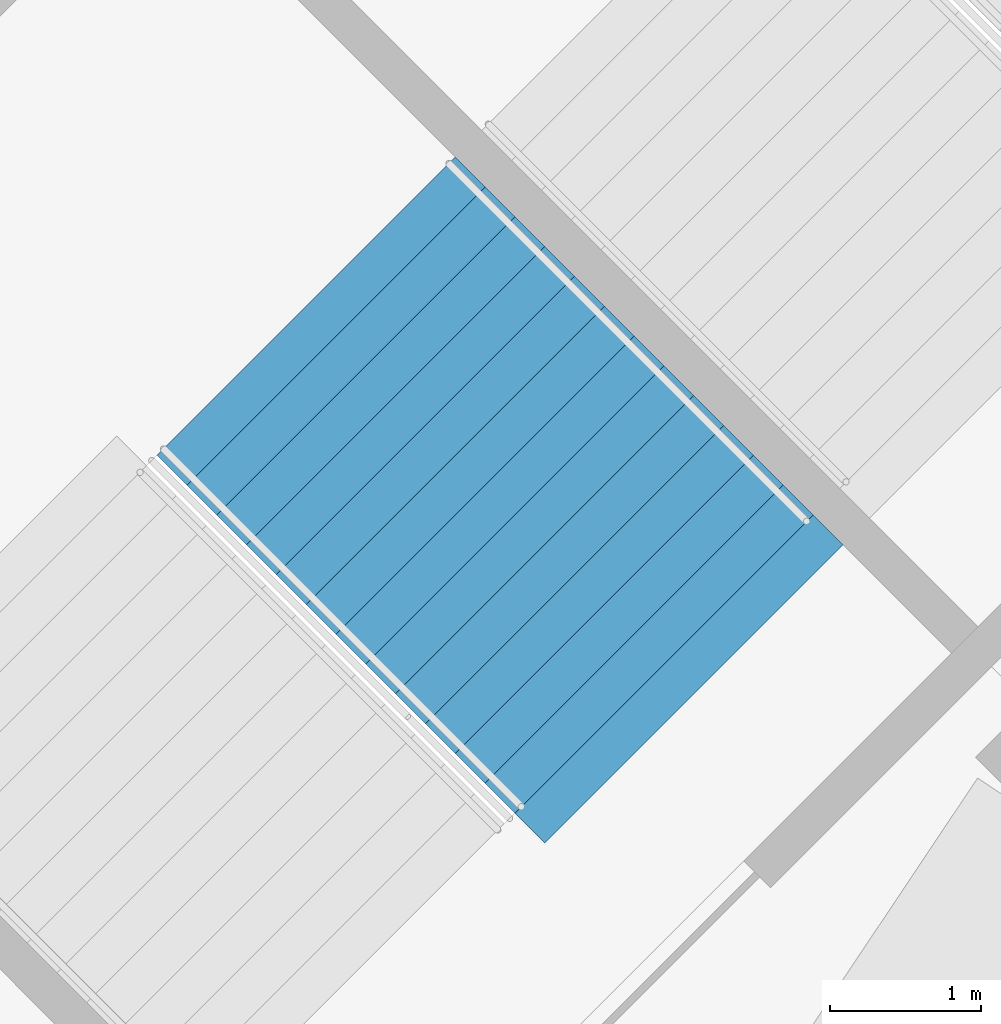
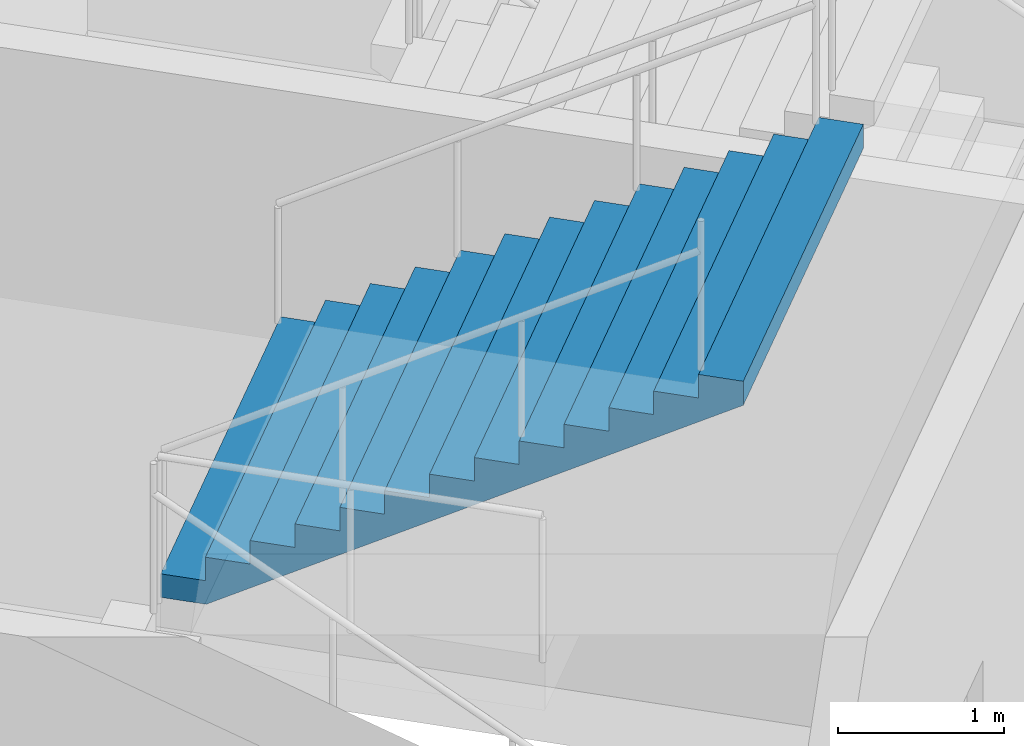
# One storey, part 198 of 249: 1 stair flight, 1 element without a shape of its own.
"""IFC4 building model written with IfcOpenShell, lengths in metres."""

import ifcopenshell
import ifcopenshell.guid

model = None  # the IFC model being written
_history = None  # IfcOwnerHistory: only IFC2X3 demands one
_inside = {}  # id of a spatial element -> (the spatial element, [elements in it])
_under = {}  # id of a project, library or spatial element -> (it, [spatial elements below it])
_declared = {}  # id of a project -> (the project, [libraries it declares])
_typed = {}  # id of a type object -> (the type object, [elements of that type])
_made_of = {}  # id of a material, layer set ... -> (it, [elements and type objects made of it])


def new_model(schema):
    """Start an empty IFC model of exactly this schema.

    Asked for "IFC4X3", IfcOpenShell would pick the latest addendum, in which some entities
    have other attributes; the version numbers below select the first issue.
    IFC2X3 requires an IfcOwnerHistory on every rooted entity: one is made here for all.
    """
    global model, _history
    if schema == "IFC4X3":
        model = ifcopenshell.file(schema_version=(4, 3, 0, 0))
    else:
        model = ifcopenshell.file(schema=schema)
    _inside.clear()
    _under.clear()
    _declared.clear()
    _typed.clear()
    _made_of.clear()
    _history = None
    if model.schema == "IFC2X3":
        org = make("IfcOrganization", Name="unknown")
        user = make(
            "IfcPersonAndOrganization",
            ThePerson=make("IfcPerson", FamilyName="unknown"),
            TheOrganization=org,
        )
        app = make(
            "IfcApplication",
            ApplicationDeveloper=org,
            Version="unknown",
            ApplicationFullName="unknown",
            ApplicationIdentifier="unknown",
        )
        _history = make(
            "IfcOwnerHistory",
            OwningUser=user,
            OwningApplication=app,
            ChangeAction="ADDED",
            CreationDate=0,
        )
    return model


def make(cls, **values):
    """One entity of the class cls with the attributes given. An attribute that is None is left unset."""
    return model.create_entity(
        cls, **{name: value for name, value in values.items() if value is not None}
    )


def rooted(cls, **values):
    """An entity with a GlobalId (a new one), such as an element, a storey or a relation."""
    return make(cls, GlobalId=ifcopenshell.guid.new(), OwnerHistory=_history, **values)


def si_unit(unit_type, name, prefix=None):
    """IfcSIUnit, for example si_unit("LENGTHUNIT", "METRE", prefix="MILLI")."""
    return make("IfcSIUnit", UnitType=unit_type, Prefix=prefix, Name=name)


def assignment(units):
    """IfcUnitAssignment: the units of a project."""
    return None if units is None else make("IfcUnitAssignment", Units=units)


def point(xyz):
    """IfcCartesianPoint."""
    return None if xyz is None else make("IfcCartesianPoint", Coordinates=xyz)


def direction(xyz):
    """IfcDirection."""
    return None if xyz is None else make("IfcDirection", DirectionRatios=xyz)


def frame(location, z_axis=None, x_axis=None):
    """IfcAxis2Placement3D, a coordinate frame: its origin and axes. An axis left out is left unset."""
    return make(
        "IfcAxis2Placement3D",
        Location=point(location),
        Axis=direction(z_axis),
        RefDirection=direction(x_axis),
    )


def origin():
    """The frame at (0, 0, 0) with its axes left unset."""
    return frame((0.0, 0.0, 0.0))


def place(relative_to, where):
    """IfcLocalPlacement: puts the frame where relative to a parent placement (None: the world)."""
    return make(
        "IfcLocalPlacement", PlacementRelTo=relative_to, RelativePlacement=where
    )


def context(
    kind, dimensions, precision=None, world=None, true_north=None, identifier=None
):
    """IfcGeometricRepresentationContext, for example the 3D "Model" context."""
    return make(
        "IfcGeometricRepresentationContext",
        ContextIdentifier=identifier,
        ContextType=kind,
        CoordinateSpaceDimension=dimensions,
        Precision=precision,
        WorldCoordinateSystem=world,
        TrueNorth=true_north,
    )


def subcontext(parent, identifier, kind, view, scale=None):
    """IfcGeometricRepresentationSubContext, for example "Body" below "Model"."""
    return make(
        "IfcGeometricRepresentationSubContext",
        ContextIdentifier=identifier,
        ContextType=kind,
        ParentContext=parent,
        TargetScale=scale,
        TargetView=view,
    )


def project(units=None, contexts=None):
    """IfcProject with its units and contexts."""
    return rooted(
        "IfcProject",
        Name="project",
        RepresentationContexts=contexts,
        UnitsInContext=assignment(units),
    )


def spatial(cls, under=None, at=None, **own):
    """A site, building, storey or space (cls), placed at a placement, below another one or the project."""
    s = rooted(cls, ObjectPlacement=at, **own)
    if under is not None:
        _under.setdefault(under.id(), (under, []))[1].append(s)
    return s


def faces_of(points, faces, orient=None, outer=None):
    """IfcFace entities. A face is a list of loops; a loop is a list of indices into points, from 0.

    orient and outer hold one flag for each loop. By default every Orientation is true, the
    first loop of a face is its IfcFaceOuterBound and the others are IfcFaceBound.
    """
    made = []
    for i, loops in enumerate(faces):
        bounds = []
        for j, loop in enumerate(loops):
            is_outer = j == 0 if outer is None else outer[i][j]
            bounds.append(
                make(
                    "IfcFaceOuterBound" if is_outer else "IfcFaceBound",
                    Bound=make("IfcPolyLoop", Polygon=[points[k] for k in loop]),
                    Orientation=True if orient is None else orient[i][j],
                )
            )
        made.append(make("IfcFace", Bounds=bounds))
    return made


def faceted_brep(points, faces, orient=None, outer=None, voids=None):
    """IfcFacetedBrep: a solid bounded by flat faces; with voids (closed shells), ...WithVoids."""
    shared = [point(p) for p in points]
    hull = make("IfcClosedShell", CfsFaces=faces_of(shared, faces, orient, outer))
    if voids is None:
        return make("IfcFacetedBrep", Outer=hull)
    return make(
        "IfcFacetedBrepWithVoids",
        Outer=hull,
        Voids=[
            make(cls, CfsFaces=faces_of(shared, fs, o, b)) for cls, fs, o, b in voids
        ],
    )


def shape(context_of_items, identifier, shape_type, items):
    """IfcShapeRepresentation: the items that make up one representation, for example the "Body"."""
    return make(
        "IfcShapeRepresentation",
        ContextOfItems=context_of_items,
        RepresentationIdentifier=identifier,
        RepresentationType=shape_type,
        Items=items,
    )


def material(Name=None, Category=None):
    """IfcMaterial."""
    return make("IfcMaterial", Name=Name, Category=Category)


def made_of(thing, what):
    """Note that an element or type object is made of a material, layer set ...; save() writes the relation."""
    if what is not None:
        _made_of.setdefault(what.id(), (what, []))[1].append(thing)
    return thing


def type_object(cls, material=None, **own):
    """A type object (cls), such as IfcWallType, which elements share."""
    return made_of(rooted(cls, **own), material)


def element(
    cls,
    number,
    at=None,
    inside=None,
    cuts=None,
    type_object=None,
    material=None,
    context=None,
    identifier="Body",
    shape_type=None,
    held_by="IfcProductDefinitionShape",
    body=None,
    shapes=None,
    **own,
):
    """One element of the class cls, such as IfcWall. Its Tag is "e" and its number.

    at: its placement. inside: the storey or other place that contains it. cuts: it is an
    opening in that element (IfcRelVoidsElement). A single representation is given by context,
    identifier, shape_type and body (its items); several are given by shapes. held_by: the class
    of the entity that holds the representations. save() writes the other relations.
    """
    e = rooted(cls, Tag="e%d" % number, ObjectPlacement=at, **own)
    if body is not None:
        shapes = [shape(context, identifier, shape_type, body)]
    if shapes is not None:
        e.Representation = make(held_by, Representations=shapes)
    if inside is not None:
        _inside.setdefault(inside.id(), (inside, []))[1].append(e)
    if cuts is not None:
        rooted(
            "IfcRelVoidsElement", RelatingBuildingElement=cuts, RelatedOpeningElement=e
        )
    if type_object is not None:
        _typed.setdefault(type_object.id(), (type_object, []))[1].append(e)
    return made_of(e, material)


def aggregate(whole, parts):
    """IfcRelAggregates: a whole, such as a stair, and the parts it consists of."""
    return rooted("IfcRelAggregates", RelatingObject=whole, RelatedObjects=parts)


def save(model, path):
    """Write the relations noted so far, then the file.

    IfcRelAggregates (storeys below a building ...), IfcRelContainedInSpatialStructure (elements
    in a storey), IfcRelDefinesByType, IfcRelAssociatesMaterial and IfcRelDeclares: one each for
    every whole, place, type object, material and project.
    """
    for whole, parts in _under.values():
        aggregate(whole, parts)
    for where, things in _inside.values():
        rooted(
            "IfcRelContainedInSpatialStructure",
            RelatedElements=things,
            RelatingStructure=where,
        )
    for kind, things in _typed.values():
        rooted("IfcRelDefinesByType", RelatedObjects=things, RelatingType=kind)
    for what, things in _made_of.values():
        rooted("IfcRelAssociatesMaterial", RelatedObjects=things, RelatingMaterial=what)
    for by, libraries in _declared.values():
        rooted("IfcRelDeclares", RelatingContext=by, RelatedDefinitions=libraries)
    model.write(path)


model = new_model("IFC4")

# Units and contexts
model_context = context("Model", 3, precision=1e-05, world=origin(), true_north=direction((0.0, 1.0)))
body_context = subcontext(model_context, "Body", "Model", "MODEL_VIEW")
ifc_project = project(units=[si_unit("LENGTHUNIT", "METRE"), si_unit("AREAUNIT", "SQUARE_METRE"), si_unit("VOLUMEUNIT", "CUBIC_METRE"), si_unit("PLANEANGLEUNIT", "RADIAN"), si_unit("MASSUNIT", "GRAM", prefix="KILO")], contexts=[model_context])

# Site, building, storey
site_placement = place(None, origin())
site = spatial("IfcSite", under=ifc_project, at=site_placement, CompositionType="ELEMENT")
building_placement = place(site_placement, origin())
building = spatial("IfcBuilding", under=site, at=building_placement, Name="Ogive Plaza Stadium", CompositionType="ELEMENT")
storey_placement = place(building_placement, frame((0.0, 0.0, 13.5)))
storey = spatial("IfcBuildingStorey", under=building, at=storey_placement, Name="L03", CompositionType="ELEMENT", Elevation=13.5)

# Stair, stair flight
ifc_material_1 = material(Name="Concrete C40/50", Category="concrete")
stair_type = type_object("IfcStairType", Name="Exit stair", PredefinedType="STRAIGHT_RUN_STAIR", material=ifc_material_1)
stair_placement = place(storey_placement, origin())
stair = element("IfcStair", 1, at=stair_placement, inside=storey, type_object=stair_type, Name="Exit stair ST30B L03 to L04", PredefinedType="STRAIGHT_RUN_STAIR")
ifc_material_2 = material(Name="Concrete C40/50", Category="concrete")
stair_flight_type = type_object("IfcStairFlightType", Name="Exit stair flight", PredefinedType="STRAIGHT", material=ifc_material_2)
stair_flight_placement = place(storey_placement, frame((-67.400146484375, 83.743408203125, 2.25), z_axis=(0.0, 0.0, 1.0), x_axis=(0.707106781187, -0.707106781187, 0.0)))
stair_flight = element("IfcStairFlight", 2, at=stair_flight_placement, type_object=stair_flight_type, Name="ST30B flight 2", NumberOfRisers=13, NumberOfTreads=12, PredefinedType="STRAIGHT", RiserHeight=0.173076923, TreadLength=0.28, context=body_context, shape_type="Brep", body=[
    faceted_brep([(0.28515625, -1.39990234375, 0.0), (3.639892578125, -1.39990234375, 2.07373046875), (3.639892578125, -1.39990234375, 2.25), (3.360107421875, -1.39990234375, 2.25), (3.360107421875, -1.39990234375, 2.076904296875), (3.080078125, -1.39990234375, 2.076904296875), (3.080078125, -1.39990234375, 1.90380859375), (2.800048828125, -1.39990234375, 1.90380859375), (2.800048828125, -1.39990234375, 1.730712890625), (2.52001953125, -1.39990234375, 1.730712890625), (2.52001953125, -1.39990234375, 1.5576171875), (2.239990234375, -1.39990234375, 1.5576171875), (2.239990234375, -1.39990234375, 1.384521484375), (1.9599609375, -1.39990234375, 1.384521484375), (1.9599609375, -1.39990234375, 1.21142578125), (1.679931640625, -1.39990234375, 1.21142578125), (1.679931640625, -1.39990234375, 1.03857421875), (1.39990234375, -1.39990234375, 1.03857421875), (1.39990234375, -1.39990234375, 0.865478515625), (1.1201171875, -1.39990234375, 0.865478515625), (1.1201171875, -1.39990234375, 0.6923828125), (0.840087890625, -1.39990234375, 0.6923828125), (0.840087890625, -1.39990234375, 0.519287109375), (0.56005859375, -1.39990234375, 0.519287109375), (0.56005859375, -1.39990234375, 0.34619140625), (0.280029296875, -1.39990234375, 0.34619140625), (0.280029296875, -1.39990234375, 0.173095703125), (0.0, -1.39990234375, 0.173095703125), (0.0, -1.39990234375, 0.0), (0.0, 1.39990234375, 0.0), (0.0, 1.39990234375, 0.173095703125), (0.280029296875, 1.39990234375, 0.173095703125), (0.280029296875, 1.39990234375, 0.34619140625), (0.56005859375, 1.39990234375, 0.34619140625), (0.56005859375, 1.39990234375, 0.519287109375), (0.840087890625, 1.39990234375, 0.519287109375), (0.840087890625, 1.39990234375, 0.6923828125), (1.1201171875, 1.39990234375, 0.6923828125), (1.1201171875, 1.39990234375, 0.865478515625), (1.39990234375, 1.39990234375, 0.865478515625), (1.39990234375, 1.39990234375, 1.03857421875), (1.679931640625, 1.39990234375, 1.03857421875), (1.679931640625, 1.39990234375, 1.21142578125), (1.9599609375, 1.39990234375, 1.21142578125), (1.9599609375, 1.39990234375, 1.384521484375), (2.239990234375, 1.39990234375, 1.384521484375), (2.239990234375, 1.39990234375, 1.5576171875), (2.52001953125, 1.39990234375, 1.5576171875), (2.52001953125, 1.39990234375, 1.730712890625), (2.800048828125, 1.39990234375, 1.730712890625), (2.800048828125, 1.39990234375, 1.90380859375), (3.080078125, 1.39990234375, 1.90380859375), (3.080078125, 1.39990234375, 2.076904296875), (3.360107421875, 1.39990234375, 2.076904296875), (3.360107421875, 1.39990234375, 2.25), (3.639892578125, 1.39990234375, 2.25), (3.639892578125, 1.39990234375, 2.07373046875), (0.28515625, 1.39990234375, 0.0), (0.28515625, -1.0888671875, 0.0), (3.639892578125, -1.0888671875, 2.07373046875), (0.28515625, -0.77783203125, 0.0), (3.639892578125, -0.77783203125, 2.07373046875), (0.28515625, -0.466796875, 0.0), (3.639892578125, -0.466796875, 2.07373046875), (0.28515625, -0.155517578125, 0.0), (3.639892578125, -0.155517578125, 2.07373046875), (0.28515625, 0.155517578125, 0.0), (3.639892578125, 0.155517578125, 2.07373046875), (0.28515625, 0.466796875, 0.0), (3.639892578125, 0.466796875, 2.07373046875), (0.28515625, 0.77783203125, 0.0), (3.639892578125, 0.77783203125, 2.07373046875), (0.28515625, 1.0888671875, 0.0), (3.639892578125, 1.0888671875, 2.07373046875), (3.639892578125, -1.0888671875, 2.25), (3.639892578125, -0.77783203125, 2.25), (3.639892578125, -0.466796875, 2.25), (3.639892578125, -0.155517578125, 2.25), (3.639892578125, 0.155517578125, 2.25), (3.639892578125, 0.466796875, 2.25), (3.639892578125, 0.77783203125, 2.25), (3.639892578125, 1.0888671875, 2.25), (3.360107421875, -1.0888671875, 2.25), (3.360107421875, -0.77783203125, 2.25), (3.360107421875, -0.466796875, 2.25), (3.360107421875, -0.155517578125, 2.25), (3.360107421875, 0.155517578125, 2.25), (3.360107421875, 0.466796875, 2.25), (3.360107421875, 0.77783203125, 2.25), (3.360107421875, 1.0888671875, 2.25), (3.360107421875, -1.0888671875, 2.076904296875), (3.360107421875, -0.77783203125, 2.076904296875), (3.360107421875, -0.466796875, 2.076904296875), (3.360107421875, -0.155517578125, 2.076904296875), (3.360107421875, 0.155517578125, 2.076904296875), (3.360107421875, 0.466796875, 2.076904296875), (3.360107421875, 0.77783203125, 2.076904296875), (3.360107421875, 1.0888671875, 2.076904296875), (3.080078125, -1.0888671875, 2.076904296875), (3.080078125, -0.77783203125, 2.076904296875), (3.080078125, -0.466796875, 2.076904296875), (3.080078125, -0.155517578125, 2.076904296875), (3.080078125, 0.155517578125, 2.076904296875), (3.080078125, 0.466796875, 2.076904296875), (3.080078125, 0.77783203125, 2.076904296875), (3.080078125, 1.0888671875, 2.076904296875), (3.080078125, -1.0888671875, 1.90380859375), (3.080078125, -0.77783203125, 1.90380859375), (3.080078125, -0.466796875, 1.90380859375), (3.080078125, -0.155517578125, 1.90380859375), (3.080078125, 0.155517578125, 1.90380859375), (3.080078125, 0.466796875, 1.90380859375), (3.080078125, 0.77783203125, 1.90380859375), (3.080078125, 1.0888671875, 1.90380859375), (2.800048828125, -1.0888671875, 1.90380859375), (2.800048828125, -0.77783203125, 1.90380859375), (2.800048828125, -0.466796875, 1.90380859375), (2.800048828125, -0.155517578125, 1.90380859375), (2.800048828125, 0.155517578125, 1.90380859375), (2.800048828125, 0.466796875, 1.90380859375), (2.800048828125, 0.77783203125, 1.90380859375), (2.800048828125, 1.0888671875, 1.90380859375), (2.800048828125, -1.0888671875, 1.730712890625), (2.800048828125, -0.77783203125, 1.730712890625), (2.800048828125, -0.466796875, 1.730712890625), (2.800048828125, -0.155517578125, 1.730712890625), (2.800048828125, 0.155517578125, 1.730712890625), (2.800048828125, 0.466796875, 1.730712890625), (2.800048828125, 0.77783203125, 1.730712890625), (2.800048828125, 1.0888671875, 1.730712890625), (2.52001953125, -1.0888671875, 1.730712890625), (2.52001953125, -0.77783203125, 1.730712890625), (2.52001953125, -0.466796875, 1.730712890625), (2.52001953125, -0.155517578125, 1.730712890625), (2.52001953125, 0.155517578125, 1.730712890625), (2.52001953125, 0.466796875, 1.730712890625), (2.52001953125, 0.77783203125, 1.730712890625), (2.52001953125, 1.0888671875, 1.730712890625), (2.52001953125, -1.0888671875, 1.5576171875), (2.52001953125, -0.77783203125, 1.5576171875), (2.52001953125, -0.466796875, 1.5576171875), (2.52001953125, -0.155517578125, 1.5576171875), (2.52001953125, 0.155517578125, 1.5576171875), (2.52001953125, 0.466796875, 1.5576171875), (2.52001953125, 0.77783203125, 1.5576171875), (2.52001953125, 1.0888671875, 1.5576171875), (2.239990234375, -1.0888671875, 1.5576171875), (2.239990234375, -0.77783203125, 1.5576171875), (2.239990234375, -0.466796875, 1.5576171875), (2.239990234375, -0.155517578125, 1.5576171875), (2.239990234375, 0.155517578125, 1.5576171875), (2.239990234375, 0.466796875, 1.5576171875), (2.239990234375, 0.77783203125, 1.5576171875), (2.239990234375, 1.0888671875, 1.5576171875), (2.239990234375, -1.0888671875, 1.384521484375), (2.239990234375, -0.77783203125, 1.384521484375), (2.239990234375, -0.466796875, 1.384521484375), (2.239990234375, -0.155517578125, 1.384521484375), (2.239990234375, 0.155517578125, 1.384521484375), (2.239990234375, 0.466796875, 1.384521484375), (2.239990234375, 0.77783203125, 1.384521484375), (2.239990234375, 1.0888671875, 1.384521484375), (1.9599609375, -1.0888671875, 1.384521484375), (1.9599609375, -0.77783203125, 1.384521484375), (1.9599609375, -0.466796875, 1.384521484375), (1.9599609375, -0.155517578125, 1.384521484375), (1.9599609375, 0.155517578125, 1.384521484375), (1.9599609375, 0.466796875, 1.384521484375), (1.9599609375, 0.77783203125, 1.384521484375), (1.9599609375, 1.0888671875, 1.384521484375), (1.9599609375, -1.0888671875, 1.21142578125), (1.9599609375, -0.77783203125, 1.21142578125), (1.9599609375, -0.466796875, 1.21142578125), (1.9599609375, -0.155517578125, 1.21142578125), (1.9599609375, 0.155517578125, 1.21142578125), (1.9599609375, 0.466796875, 1.21142578125), (1.9599609375, 0.77783203125, 1.21142578125), (1.9599609375, 1.0888671875, 1.21142578125), (1.679931640625, -1.0888671875, 1.21142578125), (1.679931640625, -0.77783203125, 1.21142578125), (1.679931640625, -0.466796875, 1.21142578125), (1.679931640625, -0.155517578125, 1.21142578125), (1.679931640625, 0.155517578125, 1.21142578125), (1.679931640625, 0.466796875, 1.21142578125), (1.679931640625, 0.77783203125, 1.21142578125), (1.679931640625, 1.0888671875, 1.21142578125), (1.679931640625, -1.0888671875, 1.03857421875), (1.679931640625, -0.77783203125, 1.03857421875), (1.679931640625, -0.466796875, 1.03857421875), (1.679931640625, -0.155517578125, 1.03857421875), (1.679931640625, 0.155517578125, 1.03857421875), (1.679931640625, 0.466796875, 1.03857421875), (1.679931640625, 0.77783203125, 1.03857421875), (1.679931640625, 1.0888671875, 1.03857421875), (1.39990234375, -1.0888671875, 1.03857421875), (1.39990234375, -0.77783203125, 1.03857421875), (1.39990234375, -0.466796875, 1.03857421875), (1.39990234375, -0.155517578125, 1.03857421875), (1.39990234375, 0.155517578125, 1.03857421875), (1.39990234375, 0.466796875, 1.03857421875), (1.39990234375, 0.77783203125, 1.03857421875), (1.39990234375, 1.0888671875, 1.03857421875), (1.39990234375, -1.0888671875, 0.865478515625), (1.39990234375, -0.77783203125, 0.865478515625), (1.39990234375, -0.466796875, 0.865478515625), (1.39990234375, -0.155517578125, 0.865478515625), (1.39990234375, 0.155517578125, 0.865478515625), (1.39990234375, 0.466796875, 0.865478515625), (1.39990234375, 0.77783203125, 0.865478515625), (1.39990234375, 1.0888671875, 0.865478515625), (1.1201171875, -1.0888671875, 0.865478515625), (1.1201171875, -0.77783203125, 0.865478515625), (1.1201171875, -0.466796875, 0.865478515625), (1.1201171875, -0.155517578125, 0.865478515625), (1.1201171875, 0.155517578125, 0.865478515625), (1.1201171875, 0.466796875, 0.865478515625), (1.1201171875, 0.77783203125, 0.865478515625), (1.1201171875, 1.0888671875, 0.865478515625), (1.1201171875, -1.0888671875, 0.6923828125), (1.1201171875, -0.77783203125, 0.6923828125), (1.1201171875, -0.466796875, 0.6923828125), (1.1201171875, -0.155517578125, 0.6923828125), (1.1201171875, 0.155517578125, 0.6923828125), (1.1201171875, 0.466796875, 0.6923828125), (1.1201171875, 0.77783203125, 0.6923828125), (1.1201171875, 1.0888671875, 0.6923828125), (0.840087890625, -1.0888671875, 0.6923828125), (0.840087890625, -0.77783203125, 0.6923828125), (0.840087890625, -0.466796875, 0.6923828125), (0.840087890625, -0.155517578125, 0.6923828125), (0.840087890625, 0.155517578125, 0.6923828125), (0.840087890625, 0.466796875, 0.6923828125), (0.840087890625, 0.77783203125, 0.6923828125), (0.840087890625, 1.0888671875, 0.6923828125), (0.840087890625, -1.0888671875, 0.519287109375), (0.840087890625, -0.77783203125, 0.519287109375), (0.840087890625, -0.466796875, 0.519287109375), (0.840087890625, -0.155517578125, 0.519287109375), (0.840087890625, 0.155517578125, 0.519287109375), (0.840087890625, 0.466796875, 0.519287109375), (0.840087890625, 0.77783203125, 0.519287109375), (0.840087890625, 1.0888671875, 0.519287109375), (0.56005859375, -1.0888671875, 0.519287109375), (0.56005859375, -0.77783203125, 0.519287109375), (0.56005859375, -0.466796875, 0.519287109375), (0.56005859375, -0.155517578125, 0.519287109375), (0.56005859375, 0.155517578125, 0.519287109375), (0.56005859375, 0.466796875, 0.519287109375), (0.56005859375, 0.77783203125, 0.519287109375), (0.56005859375, 1.0888671875, 0.519287109375), (0.56005859375, -1.0888671875, 0.34619140625), (0.56005859375, -0.77783203125, 0.34619140625), (0.56005859375, -0.466796875, 0.34619140625), (0.56005859375, -0.155517578125, 0.34619140625), (0.56005859375, 0.155517578125, 0.34619140625), (0.56005859375, 0.466796875, 0.34619140625), (0.56005859375, 0.77783203125, 0.34619140625), (0.56005859375, 1.0888671875, 0.34619140625), (0.280029296875, -1.0888671875, 0.34619140625), (0.280029296875, -0.77783203125, 0.34619140625), (0.280029296875, -0.466796875, 0.34619140625), (0.280029296875, -0.155517578125, 0.34619140625), (0.280029296875, 0.155517578125, 0.34619140625), (0.280029296875, 0.466796875, 0.34619140625), (0.280029296875, 0.77783203125, 0.34619140625), (0.280029296875, 1.0888671875, 0.34619140625), (0.280029296875, -1.0888671875, 0.173095703125), (0.280029296875, -0.77783203125, 0.173095703125), (0.280029296875, -0.466796875, 0.173095703125), (0.280029296875, -0.155517578125, 0.173095703125), (0.280029296875, 0.155517578125, 0.173095703125), (0.280029296875, 0.466796875, 0.173095703125), (0.280029296875, 0.77783203125, 0.173095703125), (0.280029296875, 1.0888671875, 0.173095703125), (0.0, -1.0888671875, 0.173095703125), (0.0, -0.77783203125, 0.173095703125), (0.0, -0.466796875, 0.173095703125), (0.0, -0.155517578125, 0.173095703125), (0.0, 0.155517578125, 0.173095703125), (0.0, 0.466796875, 0.173095703125), (0.0, 0.77783203125, 0.173095703125), (0.0, 1.0888671875, 0.173095703125), (0.0, -1.0888671875, 0.0), (0.0, -0.77783203125, 0.0), (0.0, -0.466796875, 0.0), (0.0, -0.155517578125, 0.0), (0.0, 0.155517578125, 0.0), (0.0, 0.466796875, 0.0), (0.0, 0.77783203125, 0.0), (0.0, 1.0888671875, 0.0)], [[[0, 1, 2, 3, 4, 5, 6, 7, 8, 9, 10, 11, 12, 13, 14, 15, 16, 17, 18, 19, 20, 21, 22, 23, 24, 25, 26, 27, 28]], [[29, 30, 31, 32, 33, 34, 35, 36, 37, 38, 39, 40, 41, 42, 43, 44, 45, 46, 47, 48, 49, 50, 51, 52, 53, 54, 55, 56, 57]], [[0, 58, 59, 1]], [[58, 60, 61, 59]], [[60, 62, 63, 61]], [[62, 64, 65, 63]], [[64, 66, 67, 65]], [[66, 68, 69, 67]], [[68, 70, 71, 69]], [[70, 72, 73, 71]], [[72, 57, 56, 73]], [[1, 59, 74, 2]], [[59, 61, 75, 74]], [[61, 63, 76, 75]], [[63, 65, 77, 76]], [[65, 67, 78, 77]], [[67, 69, 79, 78]], [[69, 71, 80, 79]], [[71, 73, 81, 80]], [[73, 56, 55, 81]], [[2, 74, 82, 3]], [[74, 75, 83, 82]], [[75, 76, 84, 83]], [[76, 77, 85, 84]], [[77, 78, 86, 85]], [[78, 79, 87, 86]], [[79, 80, 88, 87]], [[80, 81, 89, 88]], [[81, 55, 54, 89]], [[3, 82, 90, 4]], [[82, 83, 91, 90]], [[83, 84, 92, 91]], [[84, 85, 93, 92]], [[85, 86, 94, 93]], [[86, 87, 95, 94]], [[87, 88, 96, 95]], [[88, 89, 97, 96]], [[89, 54, 53, 97]], [[4, 90, 98, 5]], [[90, 91, 99, 98]], [[91, 92, 100, 99]], [[92, 93, 101, 100]], [[93, 94, 102, 101]], [[94, 95, 103, 102]], [[95, 96, 104, 103]], [[96, 97, 105, 104]], [[97, 53, 52, 105]], [[5, 98, 106, 6]], [[98, 99, 107, 106]], [[99, 100, 108, 107]], [[100, 101, 109, 108]], [[101, 102, 110, 109]], [[102, 103, 111, 110]], [[103, 104, 112, 111]], [[104, 105, 113, 112]], [[105, 52, 51, 113]], [[6, 106, 114, 7]], [[106, 107, 115, 114]], [[107, 108, 116, 115]], [[108, 109, 117, 116]], [[109, 110, 118, 117]], [[110, 111, 119, 118]], [[111, 112, 120, 119]], [[112, 113, 121, 120]], [[113, 51, 50, 121]], [[7, 114, 122, 8]], [[114, 115, 123, 122]], [[115, 116, 124, 123]], [[116, 117, 125, 124]], [[117, 118, 126, 125]], [[118, 119, 127, 126]], [[119, 120, 128, 127]], [[120, 121, 129, 128]], [[121, 50, 49, 129]], [[8, 122, 130, 9]], [[122, 123, 131, 130]], [[123, 124, 132, 131]], [[124, 125, 133, 132]], [[125, 126, 134, 133]], [[126, 127, 135, 134]], [[127, 128, 136, 135]], [[128, 129, 137, 136]], [[129, 49, 48, 137]], [[9, 130, 138, 10]], [[130, 131, 139, 138]], [[131, 132, 140, 139]], [[132, 133, 141, 140]], [[133, 134, 142, 141]], [[134, 135, 143, 142]], [[135, 136, 144, 143]], [[136, 137, 145, 144]], [[137, 48, 47, 145]], [[10, 138, 146, 11]], [[138, 139, 147, 146]], [[139, 140, 148, 147]], [[140, 141, 149, 148]], [[141, 142, 150, 149]], [[142, 143, 151, 150]], [[143, 144, 152, 151]], [[144, 145, 153, 152]], [[145, 47, 46, 153]], [[11, 146, 154, 12]], [[146, 147, 155, 154]], [[147, 148, 156, 155]], [[148, 149, 157, 156]], [[149, 150, 158, 157]], [[150, 151, 159, 158]], [[151, 152, 160, 159]], [[152, 153, 161, 160]], [[153, 46, 45, 161]], [[12, 154, 162, 13]], [[154, 155, 163, 162]], [[155, 156, 164, 163]], [[156, 157, 165, 164]], [[157, 158, 166, 165]], [[158, 159, 167, 166]], [[159, 160, 168, 167]], [[160, 161, 169, 168]], [[161, 45, 44, 169]], [[13, 162, 170, 14]], [[162, 163, 171, 170]], [[163, 164, 172, 171]], [[164, 165, 173, 172]], [[165, 166, 174, 173]], [[166, 167, 175, 174]], [[167, 168, 176, 175]], [[168, 169, 177, 176]], [[169, 44, 43, 177]], [[14, 170, 178, 15]], [[170, 171, 179, 178]], [[171, 172, 180, 179]], [[172, 173, 181, 180]], [[173, 174, 182, 181]], [[174, 175, 183, 182]], [[175, 176, 184, 183]], [[176, 177, 185, 184]], [[177, 43, 42, 185]], [[15, 178, 186, 16]], [[178, 179, 187, 186]], [[179, 180, 188, 187]], [[180, 181, 189, 188]], [[181, 182, 190, 189]], [[182, 183, 191, 190]], [[183, 184, 192, 191]], [[184, 185, 193, 192]], [[185, 42, 41, 193]], [[16, 186, 194, 17]], [[186, 187, 195, 194]], [[187, 188, 196, 195]], [[188, 189, 197, 196]], [[189, 190, 198, 197]], [[190, 191, 199, 198]], [[191, 192, 200, 199]], [[192, 193, 201, 200]], [[193, 41, 40, 201]], [[17, 194, 202, 18]], [[194, 195, 203, 202]], [[195, 196, 204, 203]], [[196, 197, 205, 204]], [[197, 198, 206, 205]], [[198, 199, 207, 206]], [[199, 200, 208, 207]], [[200, 201, 209, 208]], [[201, 40, 39, 209]], [[18, 202, 210, 19]], [[202, 203, 211, 210]], [[203, 204, 212, 211]], [[204, 205, 213, 212]], [[205, 206, 214, 213]], [[206, 207, 215, 214]], [[207, 208, 216, 215]], [[208, 209, 217, 216]], [[209, 39, 38, 217]], [[19, 210, 218, 20]], [[210, 211, 219, 218]], [[211, 212, 220, 219]], [[212, 213, 221, 220]], [[213, 214, 222, 221]], [[214, 215, 223, 222]], [[215, 216, 224, 223]], [[216, 217, 225, 224]], [[217, 38, 37, 225]], [[20, 218, 226, 21]], [[218, 219, 227, 226]], [[219, 220, 228, 227]], [[220, 221, 229, 228]], [[221, 222, 230, 229]], [[222, 223, 231, 230]], [[223, 224, 232, 231]], [[224, 225, 233, 232]], [[225, 37, 36, 233]], [[21, 226, 234, 22]], [[226, 227, 235, 234]], [[227, 228, 236, 235]], [[228, 229, 237, 236]], [[229, 230, 238, 237]], [[230, 231, 239, 238]], [[231, 232, 240, 239]], [[232, 233, 241, 240]], [[233, 36, 35, 241]], [[22, 234, 242, 23]], [[234, 235, 243, 242]], [[235, 236, 244, 243]], [[236, 237, 245, 244]], [[237, 238, 246, 245]], [[238, 239, 247, 246]], [[239, 240, 248, 247]], [[240, 241, 249, 248]], [[241, 35, 34, 249]], [[23, 242, 250, 24]], [[242, 243, 251, 250]], [[243, 244, 252, 251]], [[244, 245, 253, 252]], [[245, 246, 254, 253]], [[246, 247, 255, 254]], [[247, 248, 256, 255]], [[248, 249, 257, 256]], [[249, 34, 33, 257]], [[24, 250, 258, 25]], [[250, 251, 259, 258]], [[251, 252, 260, 259]], [[252, 253, 261, 260]], [[253, 254, 262, 261]], [[254, 255, 263, 262]], [[255, 256, 264, 263]], [[256, 257, 265, 264]], [[257, 33, 32, 265]], [[25, 258, 266, 26]], [[258, 259, 267, 266]], [[259, 260, 268, 267]], [[260, 261, 269, 268]], [[261, 262, 270, 269]], [[262, 263, 271, 270]], [[263, 264, 272, 271]], [[264, 265, 273, 272]], [[265, 32, 31, 273]], [[26, 266, 274, 27]], [[266, 267, 275, 274]], [[267, 268, 276, 275]], [[268, 269, 277, 276]], [[269, 270, 278, 277]], [[270, 271, 279, 278]], [[271, 272, 280, 279]], [[272, 273, 281, 280]], [[273, 31, 30, 281]], [[27, 274, 282, 28]], [[274, 275, 283, 282]], [[275, 276, 284, 283]], [[276, 277, 285, 284]], [[277, 278, 286, 285]], [[278, 279, 287, 286]], [[279, 280, 288, 287]], [[280, 281, 289, 288]], [[281, 30, 29, 289]], [[28, 282, 58, 0]], [[282, 283, 60, 58]], [[283, 284, 62, 60]], [[284, 285, 64, 62]], [[285, 286, 66, 64]], [[286, 287, 68, 66]], [[287, 288, 70, 68]], [[288, 289, 72, 70]], [[289, 29, 57, 72]]]),
])
aggregate(stair, [stair_flight])

save(model, "model.ifc")
